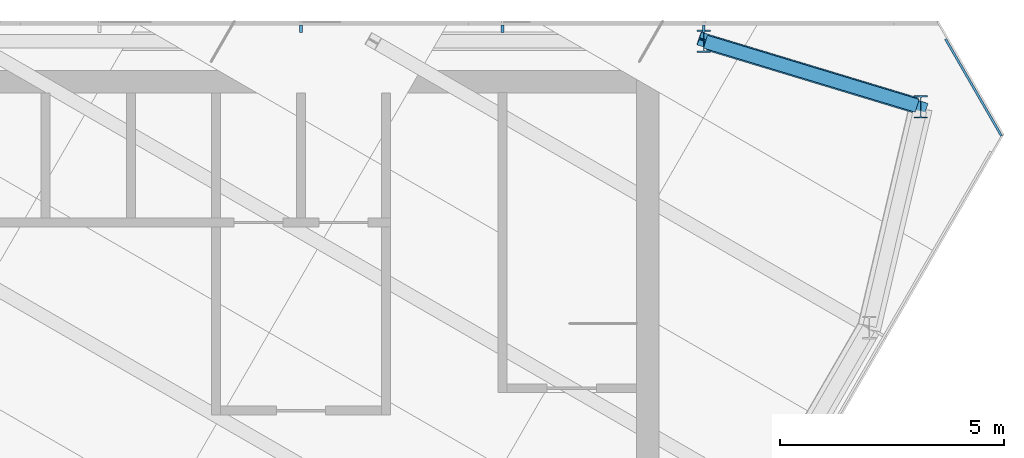
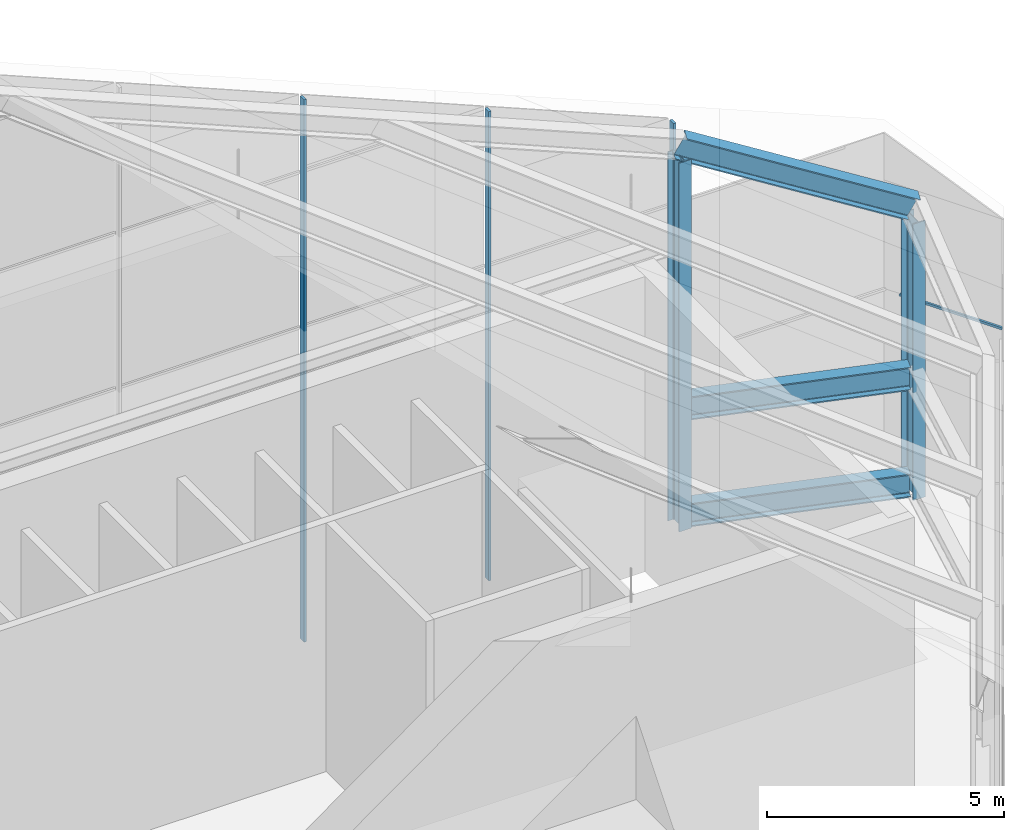
# One storey, part 10 of 16: 8 members, 1 beam, 2 elements without a shape of their own.
"""IFC4 building model written with IfcOpenShell, lengths in metres."""

from ifc_helpers import new_model, si_unit, direction, frame, origin, origin_2d, place, context, subcontext, project, spatial, rectangle, i_section, extrude, material, layer, layer_set, material_profile, profile_set, type_object, element, aggregate, save


model = new_model("IFC4")

# Units and contexts
model_context = context("Model", 3, precision=1e-05, world=origin(), true_north=direction((0.0, 1.0)))
body_context = subcontext(model_context, "Body", "Model", "MODEL_VIEW")
ifc_project = project(units=[si_unit("LENGTHUNIT", "METRE"), si_unit("AREAUNIT", "SQUARE_METRE"), si_unit("VOLUMEUNIT", "CUBIC_METRE"), si_unit("PLANEANGLEUNIT", "RADIAN"), si_unit("MASSUNIT", "GRAM", prefix="KILO")], contexts=[model_context])

# Site, building, storey
site_placement = place(None, origin())
site = spatial("IfcSite", under=ifc_project, at=site_placement, CompositionType="ELEMENT")
building_placement = place(site_placement, origin())
building = spatial("IfcBuilding", under=site, at=building_placement, Name="Altiplano Prism Tower", CompositionType="ELEMENT")
storey_placement = place(building_placement, frame((0.0, 0.0, 358.0)))
storey = spatial("IfcBuildingStorey", under=building, at=storey_placement, Name="Crown", CompositionType="ELEMENT", Elevation=358.0)

# Curtain wall, members
ifc_material_1 = material(Name="Aluminium and glass", Category="aluminium")
ifc_layer = layer(ifc_material_1, 0.25)
ifc_layer_set = layer_set([ifc_layer], Name="Aluminium and glass")
curtain_wall_type = type_object("IfcCurtainWallType", Name="CW5 crown glazing", PredefinedType="NOTDEFINED", material=ifc_layer_set)
curtain_wall_1_placement = place(storey_placement, origin())
curtain_wall_1 = element("IfcCurtainWall", 1, at=curtain_wall_1_placement, inside=storey, type_object=curtain_wall_type, Name="CW5 crown glazing face 1", PredefinedType="NOTDEFINED")
ifc_material_2 = material(Name="Aluminium", Category="aluminium")
ifc_material_profile_1 = material_profile(ifc_material_2, rectangle(XDim=0.159912109375, YDim=0.06005859375, at=origin_2d()), Name="CW5 mullion 60 x 160")
ifc_profile_set_1 = profile_set([ifc_material_profile_1], Name="Aluminium")
member_type_1 = type_object("IfcMemberType", Name="CW5 mullion 60 x 160", PredefinedType="MULLION", material=ifc_profile_set_1)
member_1_placement = place(storey_placement, frame((98.5, 104.830078125, 0.0), z_axis=(0.0, 0.0, 1.0), x_axis=(0.0, -1.0, 0.0)))
member_1 = element("IfcMember", 2, at=member_1_placement, type_object=member_type_1, Name="CW5 mullion", PredefinedType="MULLION", context=body_context, shape_type="SweptSolid", body=[
    extrude(rectangle(XDim=0.159912109375, YDim=0.06005859375, at=origin_2d()), origin(), (0.0, 0.0, 1.0), 10.20458984375),
])
member_2_placement = place(storey_placement, frame((94.0, 104.830078125, 0.0), z_axis=(0.0, 0.0, 1.0), x_axis=(0.0, -1.0, 0.0)))
member_2 = element("IfcMember", 3, at=member_2_placement, type_object=member_type_1, Name="CW5 mullion", PredefinedType="MULLION", context=body_context, shape_type="SweptSolid", body=[
    extrude(rectangle(XDim=0.159912109375, YDim=0.06005859375, at=origin_2d()), origin(), (0.0, 0.0, 1.0), 12.0869140625),
])
member_3_placement = place(storey_placement, frame((89.5, 104.830078125, 0.0), z_axis=(0.0, 0.0, 1.0), x_axis=(0.0, -1.0, 0.0)))
member_3 = element("IfcMember", 4, at=member_3_placement, type_object=member_type_1, Name="CW5 mullion", PredefinedType="MULLION", context=body_context, shape_type="SweptSolid", body=[
    extrude(rectangle(XDim=0.159912109375, YDim=0.06005859375, at=origin_2d()), origin(), (0.0, 0.0, 1.0), 13.968994140625),
])
aggregate(curtain_wall_1, [member_1, member_2, member_3])

# Curtain wall, member
curtain_wall_2_placement = place(storey_placement, origin())
curtain_wall_2 = element("IfcCurtainWall", 5, at=curtain_wall_2_placement, inside=storey, type_object=curtain_wall_type, Name="CW5 crown glazing chamfer 3", PredefinedType="NOTDEFINED")
ifc_material_profile_2 = material_profile(ifc_material_2, rectangle(XDim=0.050048828125, YDim=0.06005859375, at=origin_2d()), Name="CW5 transom 60 x 50")
ifc_profile_set_2 = profile_set([ifc_material_profile_2], Name="Aluminium")
member_type_2 = type_object("IfcMemberType", Name="CW5 transom 60 x 50", PredefinedType="USERDEFINED", material=ifc_profile_set_2)
member_4_placement = place(storey_placement, frame((105.14599609375, 102.43603515625, 4.0), z_axis=(-0.500004234368, 0.866022959057, 0.0), x_axis=(-0.866022959057, -0.500004234368, 0.0)))
member_4 = element("IfcMember", 6, at=member_4_placement, type_object=member_type_2, Name="CW5 transom", ObjectType="TRANSOM", PredefinedType="USERDEFINED", context=body_context, shape_type="SweptSolid", body=[
    extrude(rectangle(XDim=0.050048828125, YDim=0.06005859375, at=origin_2d()), origin(), (0.0, 0.0, 1.0), 2.5),
])
aggregate(curtain_wall_2, [member_4])

# Members
ifc_material_3 = material(Name="Steel S355", Category="steel")
ifc_material_profile_3 = material_profile(ifc_material_3, i_section(OverallWidth=0.300048828125, OverallDepth=0.60009765625, WebThickness=0.015380859375, FlangeThickness=0.030029296875, FilletRadius=0.027099609375, at=origin_2d()), Name="Crown base chord HEB 600")
ifc_profile_set_3 = profile_set([ifc_material_profile_3], Name="Steel S355")
member_type_3 = type_object("IfcMemberType", Name="Crown base chord HEB 600", PredefinedType="CHORD", material=ifc_profile_set_3)
for number, where, z_axis, x_axis, name in (
    (7, (103.263671875, 103.109130859375, 0.300048828125), (-0.957176399811, 0.289505336126, 0.0), (-0.289505336126, -0.957176399811, 0.0), "Crown base ring chord b2"),
    (8, (103.263671875, 103.109130859375, 3.050048828125), (-0.957176399811, 0.289505336126, 0.0), (-0.289505336126, -0.957176399811, 0.0), "Crown base ring chord t2"),
):
    element("IfcMember", number, at=place(storey_placement, frame(where, z_axis=z_axis, x_axis=x_axis)), inside=storey, type_object=member_type_3, Name=name, PredefinedType="CHORD", context=body_context, shape_type="SweptSolid", body=[
        extrude(i_section(OverallWidth=0.300048828125, OverallDepth=0.60009765625, WebThickness=0.015380859375, FlangeThickness=0.030029296875, FilletRadius=0.027099609375, at=origin_2d()), origin(), (0.0, 0.0, 1.0), 4.940185546875),
    ])
ifc_material_profile_4 = material_profile(ifc_material_3, i_section(OverallWidth=0.300048828125, OverallDepth=0.5, WebThickness=0.014404296875, FlangeThickness=0.028076171875, FilletRadius=0.027099609375, at=origin_2d()), Name="Crown post HEB 500")
ifc_profile_set_4 = profile_set([ifc_material_profile_4], Name="Steel S355")
member_type_4 = type_object("IfcMemberType", Name="Crown post HEB 500", PredefinedType="POST", material=ifc_profile_set_4)
member_5_placement = place(storey_placement, frame((103.345703125, 103.084228515625, 0.0), z_axis=(0.0, 0.0, 1.0), x_axis=(1.0, 0.0, 0.0)))
element("IfcMember", 9, at=member_5_placement, inside=storey, type_object=member_type_4, Name="Crown post M2", PredefinedType="POST", context=body_context, shape_type="SweptSolid", body=[
    extrude(i_section(OverallWidth=0.300048828125, OverallDepth=0.5, WebThickness=0.014404296875, FlangeThickness=0.028076171875, FilletRadius=0.027099609375, at=origin_2d()), origin(), (0.0, 0.0, 1.0), 7.118896484375),
])
member_6_placement = place(storey_placement, frame((98.5, 104.550048828125, 0.0), z_axis=(0.0, 0.0, 1.0), x_axis=(1.0, 0.0, 0.0)))
element("IfcMember", 10, at=member_6_placement, inside=storey, type_object=member_type_4, Name="Crown post P01", PredefinedType="POST", context=body_context, shape_type="SweptSolid", body=[
    extrude(i_section(OverallWidth=0.300048828125, OverallDepth=0.5, WebThickness=0.014404296875, FlangeThickness=0.028076171875, FilletRadius=0.027099609375, at=origin_2d()), origin(), (0.0, 0.0, 1.0), 9.499755859375),
])

# Beam
ifc_material_profile_5 = material_profile(ifc_material_3, i_section(OverallWidth=0.300048828125, OverallDepth=0.60009765625, WebThickness=0.015380859375, FlangeThickness=0.030029296875, FilletRadius=0.027099609375, at=origin_2d()), Name="Crown rafter HEB 600")
ifc_profile_set_5 = profile_set([ifc_material_profile_5], Name="Steel S355")
beam_type = type_object("IfcBeamType", Name="Crown rafter HEB 600", PredefinedType="BEAM", material=ifc_profile_set_5)
beam_placement = place(storey_placement, frame((103.345703125, 103.084228515625, 7.3916015625), z_axis=(-0.866161333472, 0.262012930581, 0.425574633415), x_axis=(-0.328482736722, -0.940243375406, -0.089674336804)))
element("IfcBeam", 11, at=beam_placement, inside=storey, type_object=beam_type, Name="Crown rafter ring 2", PredefinedType="BEAM", context=body_context, shape_type="SweptSolid", body=[
    extrude(i_section(OverallWidth=0.300048828125, OverallDepth=0.60009765625, WebThickness=0.015380859375, FlangeThickness=0.030029296875, FilletRadius=0.027099609375, at=origin_2d()), origin(), (0.0, 0.0, 1.0), 5.594482421875),
])

save(model, "model.ifc")
